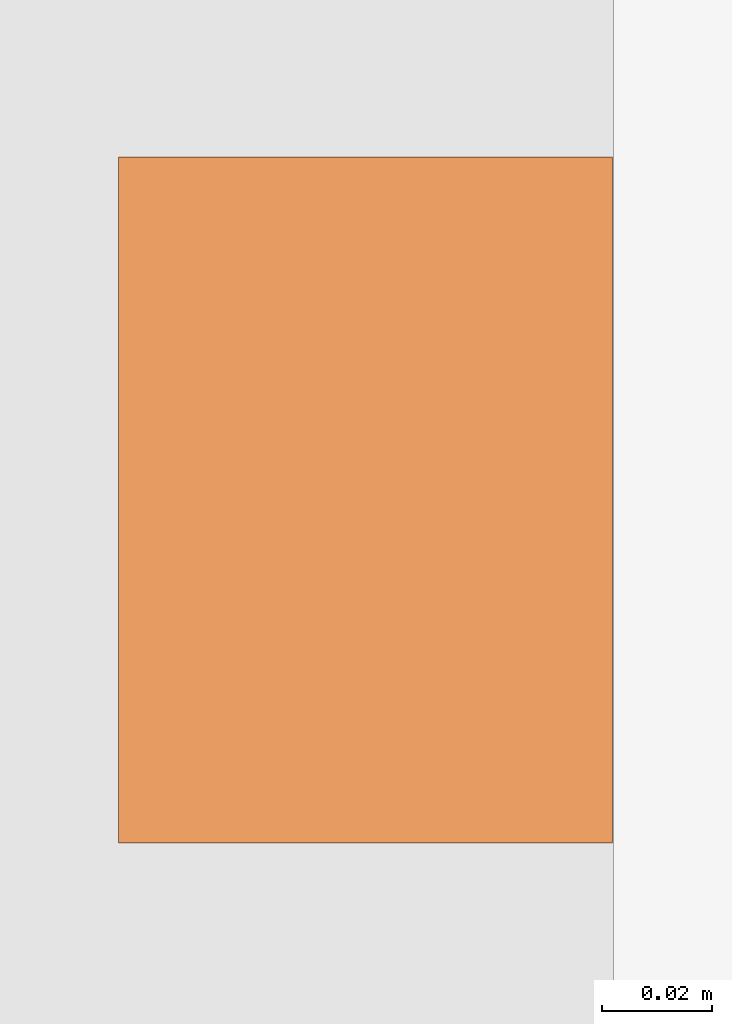
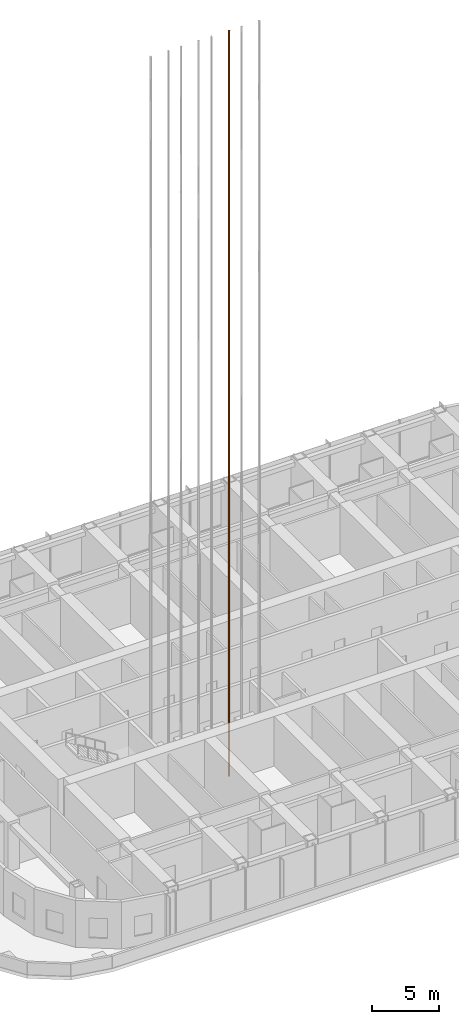
# One storey, part 30 of 32: 1 proxy.
"""IFC4 building model written with IfcOpenShell, lengths in metres."""

from ifc_helpers import new_model, si_unit, direction, frame, origin, origin_2d, place, context, subcontext, project, spatial, rectangle, extrude, material, element, save


model = new_model("IFC4")

# Units and contexts
model_context = context("Model", 3, precision=1e-05, world=origin(), true_north=direction((0.0, 1.0)))
body_context = subcontext(model_context, "Body", "Model", "MODEL_VIEW")
ifc_project = project(units=[si_unit("LENGTHUNIT", "METRE"), si_unit("AREAUNIT", "SQUARE_METRE"), si_unit("VOLUMEUNIT", "CUBIC_METRE"), si_unit("PLANEANGLEUNIT", "RADIAN"), si_unit("MASSUNIT", "GRAM", prefix="KILO")], contexts=[model_context])

# Site, building, storey
site_placement = place(None, origin())
site = spatial("IfcSite", under=ifc_project, at=site_placement, CompositionType="ELEMENT")
building_placement = place(site_placement, origin())
building = spatial("IfcBuilding", under=site, at=building_placement, Name="Orbita Commons", CompositionType="ELEMENT")
storey_placement = place(building_placement, frame((0.0, 0.0, 140.35009765625)))
storey = spatial("IfcBuildingStorey", under=building, at=storey_placement, Name="L34", CompositionType="ELEMENT", Elevation=140.35009765625)

# Proxy
ifc_material = material(Name="Machined steel guide rail", Category="steel")
placement = place(storey_placement, frame((32.5, 28.10009765625, 0.0), z_axis=(0.0, 0.0, 1.0), x_axis=(1.0, 0.0, 0.0)))
proxy_placement = place(placement, frame((0.7548828125, 0.0, -1.800048828125)))
element("IfcBuildingElementProxy", 1, at=proxy_placement, inside=storey, material=ifc_material, Name="P33 guide rail 2", ObjectType="GUIDE RAIL", PredefinedType="USERDEFINED", context=body_context, shape_type="SweptSolid", body=[
    extrude(rectangle(XDim=0.09, YDim=0.125, at=origin_2d()), origin(), (0.0, 0.0, 1.0), 67.64990234375),
])

save(model, "model.ifc")
